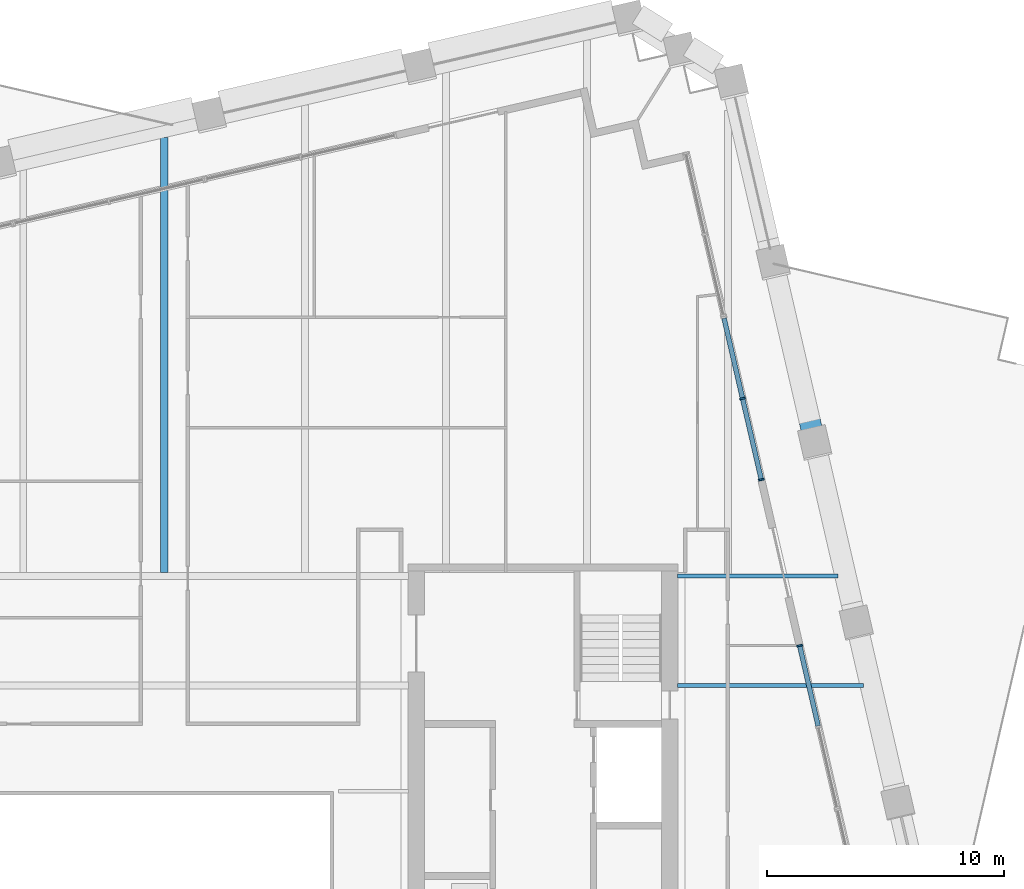
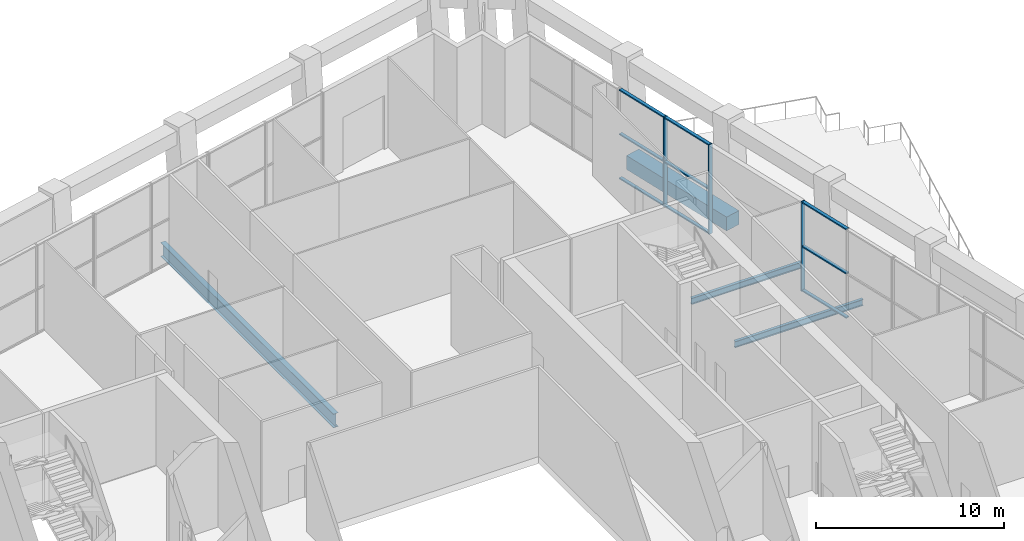
# One storey, part 6 of 24: 12 members, 4 beams, 2 elements without a shape of their own.
"""IFC4 building model written with IfcOpenShell, lengths in metres."""

from ifc_helpers import new_model, si_unit, direction, frame, origin, origin_2d, place, context, subcontext, project, spatial, rectangle, i_section, extrude, material, material_profile, profile_set, type_object, element, aggregate, save


model = new_model("IFC4")

# Units and contexts
model_context = context("Model", 3, precision=1e-05, world=origin(), true_north=direction((0.0, 1.0)))
body_context = subcontext(model_context, "Body", "Model", "MODEL_VIEW")
ifc_project = project(units=[si_unit("LENGTHUNIT", "METRE"), si_unit("AREAUNIT", "SQUARE_METRE"), si_unit("VOLUMEUNIT", "CUBIC_METRE"), si_unit("PLANEANGLEUNIT", "RADIAN"), si_unit("MASSUNIT", "GRAM", prefix="KILO")], contexts=[model_context])

# Site, building, storey
site_placement = place(None, origin())
site = spatial("IfcSite", under=ifc_project, at=site_placement, CompositionType="ELEMENT")
building_placement = place(site_placement, origin())
building = spatial("IfcBuilding", under=site, at=building_placement, Name="Ogive Exchange Tower", CompositionType="ELEMENT")
storey_placement = place(building_placement, frame((0.0, 0.0, 165.60009765625)))
storey = spatial("IfcBuildingStorey", under=building, at=storey_placement, Name="L36", CompositionType="ELEMENT", Elevation=165.60009765625)

# Beams
ifc_material_1 = material(Name="Steel ASTM A992 Gr50", Category="steel")
ifc_material_profile_1 = material_profile(ifc_material_1, i_section(OverallWidth=0.177978515625, OverallDepth=0.406005859375, WebThickness=0.0078125, FlangeThickness=0.0126953125, at=origin_2d()), Name="W410x60")
ifc_profile_set_1 = profile_set([ifc_material_profile_1], Name="Steel ASTM A992 Gr50")
beam_type_1 = type_object("IfcBeamType", Name="Floor beam W410x60", PredefinedType="JOIST", material=ifc_profile_set_1)
beam_1_placement = place(storey_placement, frame((21.679931640625, 20.62255859375, -0.653076171875), z_axis=(1.0, 0.0, 0.0), x_axis=(0.0, 1.0, 0.0)))
element("IfcBeam", 1, at=beam_1_placement, inside=storey, type_object=beam_type_1, Name="Floor beam", PredefinedType="JOIST", context=body_context, shape_type="SweptSolid", body=[
    extrude(i_section(OverallWidth=0.177978515625, OverallDepth=0.406005859375, WebThickness=0.0078125, FlangeThickness=0.0126953125, at=origin_2d()), origin(), (0.0, 0.0, 1.0), 7.845703125),
])
ifc_material_profile_2 = material_profile(ifc_material_1, i_section(OverallWidth=0.304931640625, OverallDepth=0.904052734375, WebThickness=0.01513671875, FlangeThickness=0.02001953125, at=origin_2d()), Name="W920x201")
ifc_profile_set_2 = profile_set([ifc_material_profile_2], Name="Steel ASTM A992 Gr50")
beam_type_2 = type_object("IfcBeamType", Name="Floor beam W920x201", PredefinedType="JOIST", material=ifc_profile_set_2)
beam_2_placement = place(storey_placement, frame((0.0, 25.39501953125, -0.902099609375), z_axis=(0.0, 1.0, 0.0), x_axis=(-1.0, 0.0, 0.0)))
element("IfcBeam", 2, at=beam_2_placement, inside=storey, type_object=beam_type_2, Name="Floor beam", PredefinedType="JOIST", context=body_context, shape_type="SweptSolid", body=[
    extrude(i_section(OverallWidth=0.304931640625, OverallDepth=0.904052734375, WebThickness=0.01513671875, FlangeThickness=0.02001953125, at=origin_2d()), origin(), (0.0, 0.0, 1.0), 18.35595703125),
])
ifc_material_profile_3 = material_profile(ifc_material_1, i_section(OverallWidth=0.177978515625, OverallDepth=0.406005859375, WebThickness=0.0078125, FlangeThickness=0.0126953125, at=origin_2d()), Name="W410x60")
ifc_profile_set_3 = profile_set([ifc_material_profile_3], Name="Steel ASTM A992 Gr50")
beam_type_3 = type_object("IfcBeamType", Name="Girder W410x60", PredefinedType="BEAM", material=ifc_profile_set_3)
beam_3_placement = place(storey_placement, frame((21.679931640625, 25.2451171875, -0.653076171875), z_axis=(1.0, 0.0, 0.0), x_axis=(0.0, 1.0, 0.0)))
element("IfcBeam", 3, at=beam_3_placement, inside=storey, type_object=beam_type_3, Name="Header girder", PredefinedType="BEAM", context=body_context, shape_type="SweptSolid", body=[
    extrude(i_section(OverallWidth=0.177978515625, OverallDepth=0.406005859375, WebThickness=0.0078125, FlangeThickness=0.0126953125, at=origin_2d()), origin(), (0.0, 0.0, 1.0), 6.778564453125),
])
ifc_material_2 = material(Name="Precast concrete C70/85 (limestone faced)", Category="masonry")
ifc_material_profile_4 = material_profile(ifc_material_2, rectangle(XDim=0.89990234375, YDim=0.89990234375, at=origin_2d()), Name="900 x 900")
ifc_profile_set_4 = profile_set([ifc_material_profile_4], Name="Precast concrete C70/85 (limestone faced)")
beam_type_4 = type_object("IfcBeamType", Name="Precast transfer girder 900 x 900 C70/85", PredefinedType="BEAM", material=ifc_profile_set_4)
beam_4_placement = place(storey_placement, frame((27.47607421875, 30.85107421875, -0.900146484375), z_axis=(-0.22495322987, 0.974369562523, 0.0), x_axis=(-0.974369562523, -0.22495322987, 0.0)))
element("IfcBeam", 4, at=beam_4_placement, inside=storey, type_object=beam_type_4, Name="Transfer girder 14", PredefinedType="BEAM", context=body_context, shape_type="SweptSolid", body=[
    extrude(rectangle(XDim=0.89990234375, YDim=0.89990234375, at=origin_2d()), origin(), (0.0, 0.0, 1.0), 7.800048828125),
])

# Curtain wall, member
ifc_material_3 = material(Name="Anodised aluminium and clear glass", Category="aluminium")
curtain_wall_type = type_object("IfcCurtainWallType", Name="Winter garden glazing", PredefinedType="NOTDEFINED", material=ifc_material_3)
curtain_wall_1_placement = place(storey_placement, origin())
curtain_wall_1 = element("IfcCurtainWall", 5, at=curtain_wall_1_placement, inside=storey, type_object=curtain_wall_type, Name="Winter garden glazing run G10", PredefinedType="NOTDEFINED")
ifc_material_4 = material(Name="Anodised aluminium", Category="aluminium")
ifc_material_profile_5 = material_profile(ifc_material_4, rectangle(XDim=0.239990234375, YDim=0.080078125, at=origin_2d()), Name="AL 80x240")
ifc_profile_set_5 = profile_set([ifc_material_profile_5], Name="Anodised aluminium")
member_type_1 = type_object("IfcMemberType", Name="Winter garden glazing mullion 80 x 240", PredefinedType="MULLION", material=ifc_profile_set_5)
member_1_placement = place(storey_placement, frame((26.832275390625, 22.304443359375, 0.0), z_axis=(0.0, 0.0, 1.0), x_axis=(-0.974368684938, -0.224957031035, 0.0)))
member_1 = element("IfcMember", 6, at=member_1_placement, type_object=member_type_1, Name="G10 mullion 3", PredefinedType="MULLION", context=body_context, shape_type="SweptSolid", body=[
    extrude(rectangle(XDim=0.239990234375, YDim=0.080078125, at=origin_2d()), origin(), (0.0, 0.0, 1.0), 5.7998046875),
])

# Curtain wall, members
curtain_wall_2_placement = place(storey_placement, origin())
curtain_wall_2 = element("IfcCurtainWall", 7, at=curtain_wall_2_placement, inside=storey, type_object=curtain_wall_type, Name="Winter garden glazing run G12", PredefinedType="NOTDEFINED")
member_2_placement = place(storey_placement, frame((25.2138671875, 29.314208984375, 0.0), z_axis=(0.0, 0.0, 1.0), x_axis=(-0.974371765874, -0.224943685993, 0.0)))
member_2 = element("IfcMember", 8, at=member_2_placement, type_object=member_type_1, Name="G12 mullion 1", PredefinedType="MULLION", context=body_context, shape_type="SweptSolid", body=[
    extrude(rectangle(XDim=0.239990234375, YDim=0.080078125, at=origin_2d()), origin(), (0.0, 0.0, 1.0), 5.7998046875),
])
member_3_placement = place(storey_placement, frame((24.422607421875, 32.7412109375, 0.0), z_axis=(0.0, 0.0, 1.0), x_axis=(-0.974371765874, -0.224943685993, 0.0)))
member_3 = element("IfcMember", 9, at=member_3_placement, type_object=member_type_1, Name="G12 mullion 2", PredefinedType="MULLION", context=body_context, shape_type="SweptSolid", body=[
    extrude(rectangle(XDim=0.239990234375, YDim=0.080078125, at=origin_2d()), origin(), (0.0, 0.0, 1.0), 5.7998046875),
])

# Member
ifc_material_profile_6 = material_profile(ifc_material_4, rectangle(XDim=0.199951171875, YDim=0.080078125, at=origin_2d()), Name="AL 80x200")
ifc_profile_set_6 = profile_set([ifc_material_profile_6], Name="Anodised aluminium")
member_type_2 = type_object("IfcMemberType", Name="Winter garden glazing transom 80 x 200", PredefinedType="USERDEFINED", material=ifc_profile_set_6)
member_4_placement = place(storey_placement, frame((27.614501953125, 18.916259765625, 0.039794921875), z_axis=(-0.224947693018, 0.974370840802, 0.0), x_axis=(-0.974370840802, -0.224947693018, 0.0)))
member_4 = element("IfcMember", 10, at=member_4_placement, type_object=member_type_2, Name="G10 transom 2.1", ObjectType="TRANSOM", PredefinedType="USERDEFINED", context=body_context, shape_type="SweptSolid", body=[
    extrude(rectangle(XDim=0.199951171875, YDim=0.080078125, at=origin_2d()), origin(), (0.0, 0.0, 1.0), 3.437255859375),
])

member_5_placement = place(storey_placement, frame((27.614501953125, 18.916259765625, 2.89990234375), z_axis=(-0.224947693018, 0.974370840802, 0.0), x_axis=(-0.974370840802, -0.224947693018, 0.0)))
member_5 = element("IfcMember", 11, at=member_5_placement, type_object=member_type_2, Name="G10 transom 2.2", ObjectType="TRANSOM", PredefinedType="USERDEFINED", context=body_context, shape_type="SweptSolid", body=[
    extrude(rectangle(XDim=0.199951171875, YDim=0.080078125, at=origin_2d()), origin(), (0.0, 0.0, 1.0), 3.437255859375),
])

member_6_placement = place(storey_placement, frame((27.614501953125, 18.916259765625, 5.760009765625), z_axis=(-0.224947693018, 0.974370840802, 0.0), x_axis=(-0.974370840802, -0.224947693018, 0.0)))
member_6 = element("IfcMember", 12, at=member_6_placement, type_object=member_type_2, Name="G10 transom 2.3", ObjectType="TRANSOM", PredefinedType="USERDEFINED", context=body_context, shape_type="SweptSolid", body=[
    extrude(rectangle(XDim=0.199951171875, YDim=0.080078125, at=origin_2d()), origin(), (0.0, 0.0, 1.0), 3.437255859375),
])

aggregate(curtain_wall_1, [member_1, member_4, member_5, member_6])

member_7_placement = place(storey_placement, frame((25.204833984375, 29.353271484375, 0.039794921875), z_axis=(-0.224947693018, 0.974370840802, 0.0), x_axis=(-0.974370840802, -0.224947693018, 0.0)))
member_7 = element("IfcMember", 13, at=member_7_placement, type_object=member_type_2, Name="G12 transom 1.1", ObjectType="TRANSOM", PredefinedType="USERDEFINED", context=body_context, shape_type="SweptSolid", body=[
    extrude(rectangle(XDim=0.199951171875, YDim=0.080078125, at=origin_2d()), origin(), (0.0, 0.0, 1.0), 3.437255859375),
])

member_8_placement = place(storey_placement, frame((25.204833984375, 29.353271484375, 2.89990234375), z_axis=(-0.224947693018, 0.974370840802, 0.0), x_axis=(-0.974370840802, -0.224947693018, 0.0)))
member_8 = element("IfcMember", 14, at=member_8_placement, type_object=member_type_2, Name="G12 transom 1.2", ObjectType="TRANSOM", PredefinedType="USERDEFINED", context=body_context, shape_type="SweptSolid", body=[
    extrude(rectangle(XDim=0.199951171875, YDim=0.080078125, at=origin_2d()), origin(), (0.0, 0.0, 1.0), 3.437255859375),
])

member_9_placement = place(storey_placement, frame((25.204833984375, 29.353271484375, 5.760009765625), z_axis=(-0.224947693018, 0.974370840802, 0.0), x_axis=(-0.974370840802, -0.224947693018, 0.0)))
member_9 = element("IfcMember", 15, at=member_9_placement, type_object=member_type_2, Name="G12 transom 1.3", ObjectType="TRANSOM", PredefinedType="USERDEFINED", context=body_context, shape_type="SweptSolid", body=[
    extrude(rectangle(XDim=0.199951171875, YDim=0.080078125, at=origin_2d()), origin(), (0.0, 0.0, 1.0), 3.437255859375),
])

member_10_placement = place(storey_placement, frame((24.41357421875, 32.7802734375, 0.039794921875), z_axis=(-0.224963262299, 0.974367246276, 0.0), x_axis=(-0.974367246276, -0.224963262299, 0.0)))
member_10 = element("IfcMember", 16, at=member_10_placement, type_object=member_type_2, Name="G12 transom 2.1", ObjectType="TRANSOM", PredefinedType="USERDEFINED", context=body_context, shape_type="SweptSolid", body=[
    extrude(rectangle(XDim=0.199951171875, YDim=0.080078125, at=origin_2d()), origin(), (0.0, 0.0, 1.0), 3.43701171875),
])

member_11_placement = place(storey_placement, frame((24.41357421875, 32.7802734375, 2.89990234375), z_axis=(-0.224963262299, 0.974367246276, 0.0), x_axis=(-0.974367246276, -0.224963262299, 0.0)))
member_11 = element("IfcMember", 17, at=member_11_placement, type_object=member_type_2, Name="G12 transom 2.2", ObjectType="TRANSOM", PredefinedType="USERDEFINED", context=body_context, shape_type="SweptSolid", body=[
    extrude(rectangle(XDim=0.199951171875, YDim=0.080078125, at=origin_2d()), origin(), (0.0, 0.0, 1.0), 3.43701171875),
])

member_12_placement = place(storey_placement, frame((24.41357421875, 32.7802734375, 5.760009765625), z_axis=(-0.224963262299, 0.974367246276, 0.0), x_axis=(-0.974367246276, -0.224963262299, 0.0)))
member_12 = element("IfcMember", 18, at=member_12_placement, type_object=member_type_2, Name="G12 transom 2.3", ObjectType="TRANSOM", PredefinedType="USERDEFINED", context=body_context, shape_type="SweptSolid", body=[
    extrude(rectangle(XDim=0.199951171875, YDim=0.080078125, at=origin_2d()), origin(), (0.0, 0.0, 1.0), 3.43701171875),
])

aggregate(curtain_wall_2, [member_2, member_3, member_7, member_8, member_9, member_10, member_11, member_12])

save(model, "model.ifc")
